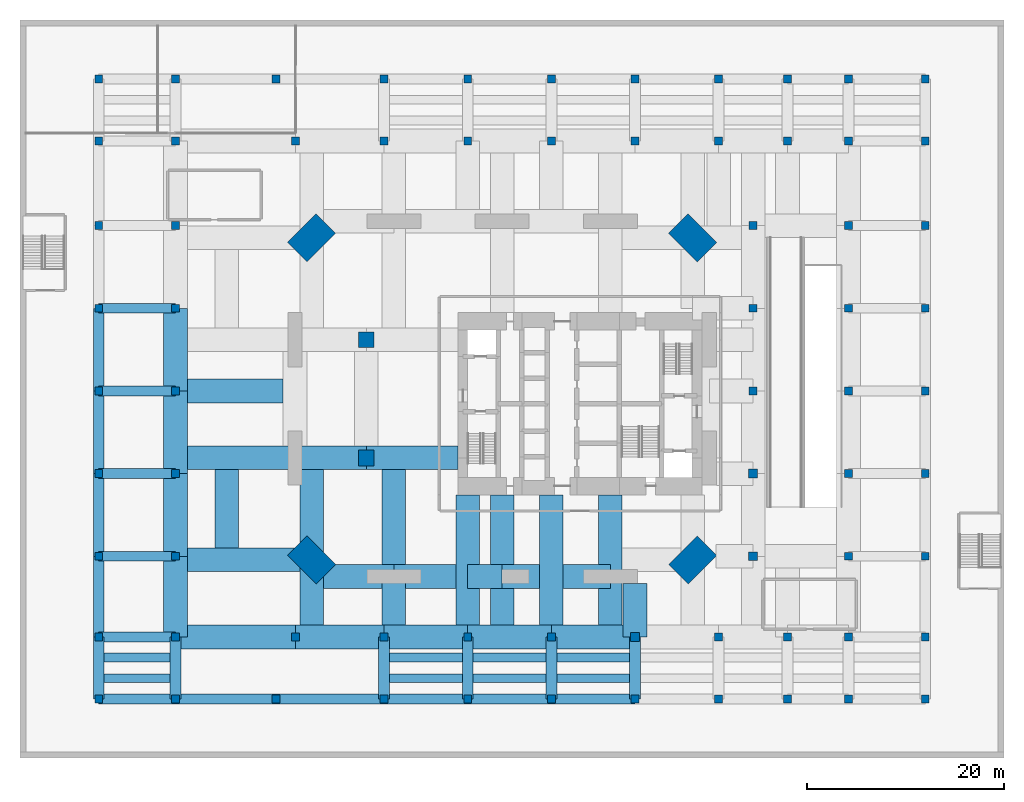
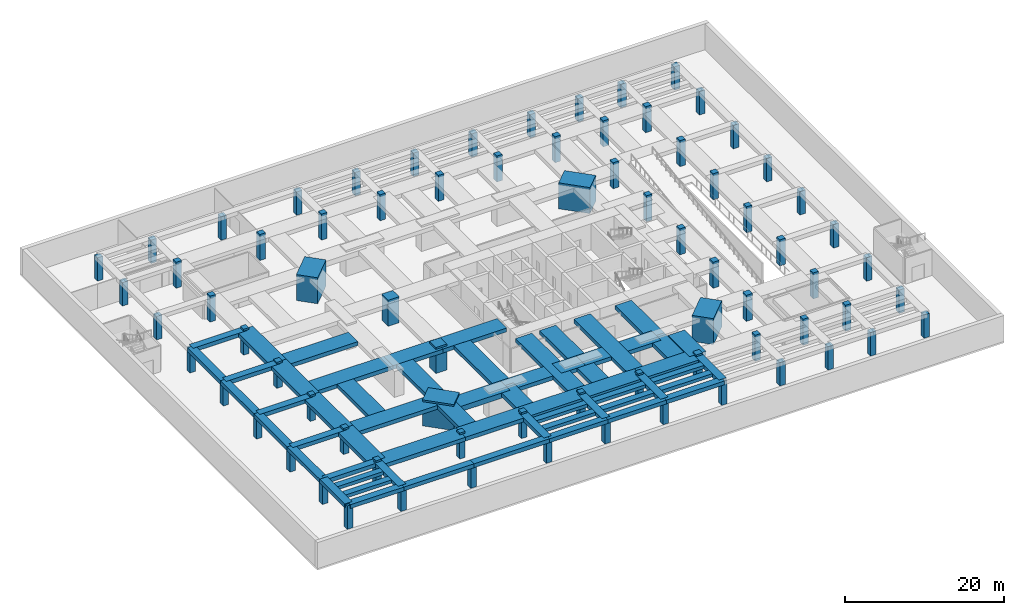
# One storey, part 1 of 10: 75 columns, 60 beams.
"""IFC4 building model written with IfcOpenShell, lengths in metres."""

from ifc_helpers import new_model, si_unit, direction, frame, origin, origin_2d, place, context, subcontext, project, spatial, rectangle, extrude, material, material_profile, profile_set, type_object, element, save


model = new_model("IFC4")

# Units and contexts
model_context = context("Model", 3, precision=1e-05, world=origin(), true_north=direction((0.0, 1.0)))
body_context = subcontext(model_context, "Body", "Model", "MODEL_VIEW")
ifc_project = project(units=[si_unit("LENGTHUNIT", "METRE"), si_unit("AREAUNIT", "SQUARE_METRE"), si_unit("VOLUMEUNIT", "CUBIC_METRE"), si_unit("PLANEANGLEUNIT", "RADIAN"), si_unit("MASSUNIT", "GRAM", prefix="KILO")], contexts=[model_context])

# Site, building, storey
site_placement = place(None, origin())
site = spatial("IfcSite", under=ifc_project, at=site_placement, CompositionType="ELEMENT")
building_placement = place(site_placement, origin())
building = spatial("IfcBuilding", under=site, at=building_placement, Name="Jalousie Tower", CompositionType="ELEMENT")
storey_placement = place(building_placement, frame((0.0, 0.0, -4.0)))
storey = spatial("IfcBuildingStorey", under=building, at=storey_placement, Name="B1", CompositionType="ELEMENT", Elevation=-4.0)

# Columns
ifc_material_1 = material(Name="Concrete f'c 120 MPa", Category="concrete")
ifc_material_profile_1 = material_profile(ifc_material_1, rectangle(XDim=1.60009765625, YDim=1.60009765625, at=origin_2d()), Name="RC 1600x1600")
ifc_profile_set_1 = profile_set([ifc_material_profile_1], Name="Concrete f'c 120 MPa")
column_type_1 = type_object("IfcColumnType", Name="RC COLUMN 1600x1600", PredefinedType="COLUMN", material=ifc_profile_set_1)
for number, where, z_axis, x_axis, name in (
    (1, (10.199951171875, 13.0, 0.0), (0.0, 0.0, 1.0), (1.0, 0.0, 0.0), "Interior column IA1 B1"),
    (2, (10.199951171875, 25.0, 0.0), (0.0, 0.0, 1.0), (1.0, 0.0, 0.0), "Interior column IA2 B1"),
):
    element("IfcColumn", number, at=place(storey_placement, frame(where, z_axis=z_axis, x_axis=x_axis)), inside=storey, type_object=column_type_1, Name=name, PredefinedType="COLUMN", context=body_context, shape_type="SweptSolid", body=[
        extrude(rectangle(XDim=1.60009765625, YDim=1.60009765625, at=origin_2d()), origin(), (0.0, 0.0, 1.0), 4.0),
    ])
ifc_material_2 = material(Name="Concrete f'c 120 MPa", Category="concrete")
ifc_material_profile_2 = material_profile(ifc_material_2, rectangle(XDim=0.800048828125, YDim=0.800048828125, at=origin_2d()), Name="RC 800x800")
ifc_profile_set_2 = profile_set([ifc_material_profile_2], Name="Concrete f'c 120 MPa")
column_type_2 = type_object("IfcColumnType", Name="RC COLUMN 800x800", PredefinedType="COLUMN", material=ifc_profile_set_2)
for number, where, z_axis, x_axis, name in (
    (3, (-9.199951171875, -5.199951171875, 0.0), (0.0, 0.0, 1.0), (1.0, 0.0, 0.0), "Podium column P01 B1"),
    (4, (3.0, -5.199951171875, 0.0), (0.0, 0.0, 1.0), (1.0, 0.0, 0.0), "Podium column P02 B1"),
    (5, (12.0, -5.199951171875, 0.0), (0.0, 0.0, 1.0), (1.0, 0.0, 0.0), "Podium column P03 B1"),
    (6, (20.5, -5.199951171875, 0.0), (0.0, 0.0, 1.0), (1.0, 0.0, 0.0), "Podium column P04 B1"),
    (7, (29.0, -5.199951171875, 0.0), (0.0, 0.0, 1.0), (1.0, 0.0, 0.0), "Podium column P05 B1"),
    (8, (46.0, -5.199951171875, 0.0), (0.0, 0.0, 1.0), (1.0, 0.0, 0.0), "Podium column P07 B1"),
    (9, (53.0, -5.199951171875, 0.0), (0.0, 0.0, 1.0), (1.0, 0.0, 0.0), "Podium column P08 B1"),
    (10, (59.199951171875, -5.199951171875, 0.0), (0.0, 0.0, 1.0), (1.0, 0.0, 0.0), "Podium column P09 B1"),
    (11, (-9.199951171875, 3.0, 0.0), (0.0, 0.0, 1.0), (1.0, 0.0, 0.0), "Podium column P10 B1"),
    (12, (59.199951171875, 3.0, 0.0), (0.0, 0.0, 1.0), (1.0, 0.0, 0.0), "Podium column P12 B1"),
    (13, (-9.199951171875, 11.39990234375, 0.0), (0.0, 0.0, 1.0), (1.0, 0.0, 0.0), "Podium column P13 B1"),
    (14, (59.199951171875, 11.39990234375, 0.0), (0.0, 0.0, 1.0), (1.0, 0.0, 0.0), "Podium column P15 B1"),
    (15, (-9.199951171875, 19.800048828125, 0.0), (0.0, 0.0, 1.0), (1.0, 0.0, 0.0), "Podium column P16 B1"),
    (16, (49.5, 19.800048828125, 0.0), (0.0, 0.0, 1.0), (1.0, 0.0, 0.0), "Podium column P17 B1"),
    (17, (59.199951171875, 19.800048828125, 0.0), (0.0, 0.0, 1.0), (1.0, 0.0, 0.0), "Podium column P18 B1"),
    (18, (-9.199951171875, 28.199951171875, 0.0), (0.0, 0.0, 1.0), (1.0, 0.0, 0.0), "Podium column P19 B1"),
    (19, (49.5, 28.199951171875, 0.0), (0.0, 0.0, 1.0), (1.0, 0.0, 0.0), "Podium column P20 B1"),
    (20, (59.199951171875, 28.199951171875, 0.0), (0.0, 0.0, 1.0), (1.0, 0.0, 0.0), "Podium column P21 B1"),
    (21, (-9.199951171875, 36.60009765625, 0.0), (0.0, 0.0, 1.0), (1.0, 0.0, 0.0), "Podium column P22 B1"),
    (22, (49.5, 36.60009765625, 0.0), (0.0, 0.0, 1.0), (1.0, 0.0, 0.0), "Podium column P23 B1"),
    (23, (59.199951171875, 36.60009765625, 0.0), (0.0, 0.0, 1.0), (1.0, 0.0, 0.0), "Podium column P24 B1"),
    (24, (-9.199951171875, 45.199951171875, 0.0), (0.0, 0.0, 1.0), (1.0, 0.0, 0.0), "Podium column P25 B1"),
    (25, (3.0, 45.199951171875, 0.0), (0.0, 0.0, 1.0), (1.0, 0.0, 0.0), "Podium column P26 B1"),
    (26, (12.0, 45.199951171875, 0.0), (0.0, 0.0, 1.0), (1.0, 0.0, 0.0), "Podium column P27 B1"),
    (27, (20.5, 45.199951171875, 0.0), (0.0, 0.0, 1.0), (1.0, 0.0, 0.0), "Podium column P28 B1"),
    (28, (29.0, 45.199951171875, 0.0), (0.0, 0.0, 1.0), (1.0, 0.0, 0.0), "Podium column P29 B1"),
    (29, (37.5, 45.199951171875, 0.0), (0.0, 0.0, 1.0), (1.0, 0.0, 0.0), "Podium column P30 B1"),
    (30, (46.0, 45.199951171875, 0.0), (0.0, 0.0, 1.0), (1.0, 0.0, 0.0), "Podium column P31 B1"),
    (31, (53.0, 45.199951171875, 0.0), (0.0, 0.0, 1.0), (1.0, 0.0, 0.0), "Podium column P32 B1"),
    (32, (59.199951171875, 45.199951171875, 0.0), (0.0, 0.0, 1.0), (1.0, 0.0, 0.0), "Podium column P33 B1"),
):
    element("IfcColumn", number, at=place(storey_placement, frame(where, z_axis=z_axis, x_axis=x_axis)), inside=storey, type_object=column_type_2, Name=name, PredefinedType="COLUMN", context=body_context, shape_type="SweptSolid", body=[
        extrude(rectangle(XDim=0.800048828125, YDim=0.800048828125, at=origin_2d()), origin(), (0.0, 0.0, 1.0), 4.0),
    ])
for number, where, z_axis, x_axis, name in (
    (33, (-17.0, -11.5, 0.0), (0.0, 0.0, 1.0), (1.0, 0.0, 0.0), "Basement column 01 B1"),
    (34, (-17.0, -5.199951171875, 0.0), (0.0, 0.0, 1.0), (1.0, 0.0, 0.0), "Basement column 02 B1"),
    (35, (-17.0, 3.0, 0.0), (0.0, 0.0, 1.0), (1.0, 0.0, 0.0), "Basement column 03 B1"),
    (36, (-17.0, 11.39990234375, 0.0), (0.0, 0.0, 1.0), (1.0, 0.0, 0.0), "Basement column 04 B1"),
    (37, (-17.0, 19.800048828125, 0.0), (0.0, 0.0, 1.0), (1.0, 0.0, 0.0), "Basement column 05 B1"),
    (38, (-17.0, 28.199951171875, 0.0), (0.0, 0.0, 1.0), (1.0, 0.0, 0.0), "Basement column 06 B1"),
    (39, (-17.0, 36.60009765625, 0.0), (0.0, 0.0, 1.0), (1.0, 0.0, 0.0), "Basement column 07 B1"),
    (40, (-17.0, 45.199951171875, 0.0), (0.0, 0.0, 1.0), (1.0, 0.0, 0.0), "Basement column 08 B1"),
    (41, (-17.0, 51.5, 0.0), (0.0, 0.0, 1.0), (1.0, 0.0, 0.0), "Basement column 09 B1"),
    (42, (-9.199951171875, -11.5, 0.0), (0.0, 0.0, 1.0), (1.0, 0.0, 0.0), "Basement column 10 B1"),
    (43, (-9.199951171875, 51.5, 0.0), (0.0, 0.0, 1.0), (1.0, 0.0, 0.0), "Basement column 11 B1"),
    (44, (1.0, -11.5, 0.0), (0.0, 0.0, 1.0), (1.0, 0.0, 0.0), "Basement column 12 B1"),
    (45, (1.0, 51.5, 0.0), (0.0, 0.0, 1.0), (1.0, 0.0, 0.0), "Basement column 13 B1"),
    (46, (12.0, -11.5, 0.0), (0.0, 0.0, 1.0), (1.0, 0.0, 0.0), "Basement column 14 B1"),
    (47, (12.0, 51.5, 0.0), (0.0, 0.0, 1.0), (1.0, 0.0, 0.0), "Basement column 15 B1"),
    (48, (20.5, -11.5, 0.0), (0.0, 0.0, 1.0), (1.0, 0.0, 0.0), "Basement column 16 B1"),
    (49, (20.5, 51.5, 0.0), (0.0, 0.0, 1.0), (1.0, 0.0, 0.0), "Basement column 17 B1"),
    (50, (29.0, -11.5, 0.0), (0.0, 0.0, 1.0), (1.0, 0.0, 0.0), "Basement column 18 B1"),
    (51, (29.0, 51.5, 0.0), (0.0, 0.0, 1.0), (1.0, 0.0, 0.0), "Basement column 19 B1"),
    (52, (37.5, -11.5, 0.0), (0.0, 0.0, 1.0), (1.0, 0.0, 0.0), "Basement column 20 B1"),
    (53, (37.5, 51.5, 0.0), (0.0, 0.0, 1.0), (1.0, 0.0, 0.0), "Basement column 21 B1"),
    (54, (46.0, -11.5, 0.0), (0.0, 0.0, 1.0), (1.0, 0.0, 0.0), "Basement column 22 B1"),
    (55, (46.0, 51.5, 0.0), (0.0, 0.0, 1.0), (1.0, 0.0, 0.0), "Basement column 23 B1"),
    (56, (53.0, -11.5, 0.0), (0.0, 0.0, 1.0), (1.0, 0.0, 0.0), "Basement column 24 B1"),
    (57, (53.0, 51.5, 0.0), (0.0, 0.0, 1.0), (1.0, 0.0, 0.0), "Basement column 25 B1"),
    (58, (59.199951171875, -11.5, 0.0), (0.0, 0.0, 1.0), (1.0, 0.0, 0.0), "Basement column 26 B1"),
    (59, (59.199951171875, 51.5, 0.0), (0.0, 0.0, 1.0), (1.0, 0.0, 0.0), "Basement column 27 B1"),
    (60, (67.0, -11.5, 0.0), (0.0, 0.0, 1.0), (1.0, 0.0, 0.0), "Basement column 28 B1"),
    (61, (67.0, -5.199951171875, 0.0), (0.0, 0.0, 1.0), (1.0, 0.0, 0.0), "Basement column 29 B1"),
    (62, (67.0, 3.0, 0.0), (0.0, 0.0, 1.0), (1.0, 0.0, 0.0), "Basement column 30 B1"),
    (63, (67.0, 11.39990234375, 0.0), (0.0, 0.0, 1.0), (1.0, 0.0, 0.0), "Basement column 31 B1"),
    (64, (67.0, 19.800048828125, 0.0), (0.0, 0.0, 1.0), (1.0, 0.0, 0.0), "Basement column 32 B1"),
    (65, (67.0, 28.199951171875, 0.0), (0.0, 0.0, 1.0), (1.0, 0.0, 0.0), "Basement column 33 B1"),
    (66, (67.0, 36.60009765625, 0.0), (0.0, 0.0, 1.0), (1.0, 0.0, 0.0), "Basement column 34 B1"),
    (67, (67.0, 45.199951171875, 0.0), (0.0, 0.0, 1.0), (1.0, 0.0, 0.0), "Basement column 35 B1"),
    (68, (67.0, 51.5, 0.0), (0.0, 0.0, 1.0), (1.0, 0.0, 0.0), "Basement column 36 B1"),
):
    element("IfcColumn", number, at=place(storey_placement, frame(where, z_axis=z_axis, x_axis=x_axis)), inside=storey, type_object=column_type_2, Name=name, PredefinedType="COLUMN", context=body_context, shape_type="SweptSolid", body=[
        extrude(rectangle(XDim=0.800048828125, YDim=0.800048828125, at=origin_2d()), origin(), (0.0, 0.0, 1.0), 3.60009765625),
    ])
ifc_material_3 = material(Name="Concrete f'c 120 MPa", Category="concrete")
ifc_material_profile_3 = material_profile(ifc_material_3, rectangle(XDim=0.89990234375, YDim=0.89990234375, at=origin_2d()), Name="RC 900x900")
ifc_profile_set_3 = profile_set([ifc_material_profile_3], Name="Concrete f'c 120 MPa")
column_type_3 = type_object("IfcColumnType", Name="RC COLUMN 900x900", PredefinedType="COLUMN", material=ifc_profile_set_3)
for number, where, z_axis, x_axis, name in (
    (69, (37.5, -5.199951171875, 0.0), (0.0, 0.0, 1.0), (1.0, 0.0, 0.0), "Podium column P06 B1"),
    (70, (49.5, 3.0, 0.0), (0.0, 0.0, 1.0), (1.0, 0.0, 0.0), "Podium column P11 B1"),
    (71, (49.5, 11.39990234375, 0.0), (0.0, 0.0, 1.0), (1.0, 0.0, 0.0), "Podium column P14 B1"),
):
    element("IfcColumn", number, at=place(storey_placement, frame(where, z_axis=z_axis, x_axis=x_axis)), inside=storey, type_object=column_type_3, Name=name, PredefinedType="COLUMN", context=body_context, shape_type="SweptSolid", body=[
        extrude(rectangle(XDim=0.89990234375, YDim=0.89990234375, at=origin_2d()), origin(), (0.0, 0.0, 1.0), 4.0),
    ])
ifc_material_4 = material(Name="Concrete f'c 120 MPa", Category="concrete")
ifc_material_profile_4 = material_profile(ifc_material_4, rectangle(XDim=2.800048828125, YDim=4.10009765625, at=origin_2d()), Name="RC 2800x4100")
ifc_profile_set_4 = profile_set([ifc_material_profile_4], Name="Concrete f'c 120 MPa")
column_type_4 = type_object("IfcColumnType", Name="RC CORNER COLUMN 2800x4100", PredefinedType="COLUMN", material=ifc_profile_set_4)
for number, where, z_axis, x_axis, name in (
    (72, (4.63134765625, 2.63134765625, 0.0), (0.0, 0.0, 1.0), (0.707106781187, 0.707106781187, 0.0), "Corner column 01 B1"),
    (73, (43.36865234375, 2.63134765625, 0.0), (0.0, 0.0, 1.0), (-0.707106781187, 0.707106781187, 0.0), "Corner column 05 B1"),
    (74, (43.36865234375, 35.36865234375, 0.0), (0.0, 0.0, 1.0), (-0.707106781187, -0.707106781187, 0.0), "Corner column 08 B1"),
    (75, (4.63134765625, 35.36865234375, 0.0), (0.0, 0.0, 1.0), (0.707106781187, -0.707106781187, 0.0), "Corner column 12 B1"),
):
    element("IfcColumn", number, at=place(storey_placement, frame(where, z_axis=z_axis, x_axis=x_axis)), inside=storey, type_object=column_type_4, Name=name, PredefinedType="COLUMN", context=body_context, shape_type="SweptSolid", body=[
        extrude(rectangle(XDim=2.800048828125, YDim=4.10009765625, at=origin_2d()), origin(), (0.0, 0.0, 1.0), 4.0),
    ])

# Beams
ifc_material_5 = material(Name="Concrete f'c 40 MPa", Category="concrete")
ifc_material_profile_5 = material_profile(ifc_material_5, rectangle(XDim=1.0, YDim=0.60009765625, at=origin_2d()), Name="RC 1000x600")
ifc_profile_set_5 = profile_set([ifc_material_profile_5], Name="Concrete f'c 40 MPa")
beam_type_1 = type_object("IfcBeamType", Name="RC BEAM 1000x600", PredefinedType="BEAM", material=ifc_profile_set_5)
for number, where, z_axis, x_axis, name in (
    (76, (-17.0, -11.5, 3.419921875), (1.0, 0.0, 0.0), (0.0, 1.0, 0.0), "Girder under L00 1-1 east-west"),
    (77, (-17.0, -5.199951171875, 3.419921875), (1.0, 0.0, 0.0), (0.0, 1.0, 0.0), "Girder under L00 1-2 east-west"),
    (78, (-17.0, 3.0, 3.419921875), (1.0, 0.0, 0.0), (0.0, 1.0, 0.0), "Girder under L00 1-3 east-west"),
    (79, (-17.0, 11.39990234375, 3.419921875), (1.0, 0.0, 0.0), (0.0, 1.0, 0.0), "Girder under L00 1-4 east-west"),
    (80, (-17.0, 19.800048828125, 3.419921875), (1.0, 0.0, 0.0), (0.0, 1.0, 0.0), "Girder under L00 1-5 east-west"),
    (81, (-17.0, 28.199951171875, 3.419921875), (1.0, 0.0, 0.0), (0.0, 1.0, 0.0), "Girder under L00 1-6 east-west"),
):
    element("IfcBeam", number, at=place(storey_placement, frame(where, z_axis=z_axis, x_axis=x_axis)), inside=storey, type_object=beam_type_1, Name=name, PredefinedType="BEAM", context=body_context, shape_type="SweptSolid", body=[
        extrude(rectangle(XDim=1.0, YDim=0.60009765625, at=origin_2d()), origin(), (0.0, 0.0, 1.0), 7.800048828125),
    ])
beam_1_placement = place(storey_placement, frame((-9.199951171875, -11.5, 3.419921875), z_axis=(1.0, 0.0, 0.0), x_axis=(0.0, 1.0, 0.0)))
element("IfcBeam", 82, at=beam_1_placement, inside=storey, type_object=beam_type_1, Name="Girder under L00 2-1 east-west", PredefinedType="BEAM", context=body_context, shape_type="SweptSolid", body=[
    extrude(rectangle(XDim=1.0, YDim=0.60009765625, at=origin_2d()), origin(), (0.0, 0.0, 1.0), 10.199951171875),
])
beam_2_placement = place(storey_placement, frame((1.0, -11.5, 3.419921875), z_axis=(1.0, 0.0, 0.0), x_axis=(0.0, 1.0, 0.0)))
element("IfcBeam", 83, at=beam_2_placement, inside=storey, type_object=beam_type_1, Name="Girder under L00 3-1 east-west", PredefinedType="BEAM", context=body_context, shape_type="SweptSolid", body=[
    extrude(rectangle(XDim=1.0, YDim=0.60009765625, at=origin_2d()), origin(), (0.0, 0.0, 1.0), 11.0),
])
for number, where, z_axis, x_axis, name in (
    (84, (12.0, -11.5, 3.419921875), (1.0, 0.0, 0.0), (0.0, 1.0, 0.0), "Girder under L00 4-1 east-west"),
    (85, (20.5, -11.5, 3.419921875), (1.0, 0.0, 0.0), (0.0, 1.0, 0.0), "Girder under L00 5-1 east-west"),
    (86, (29.0, -11.5, 3.419921875), (1.0, 0.0, 0.0), (0.0, 1.0, 0.0), "Girder under L00 6-1 east-west"),
):
    element("IfcBeam", number, at=place(storey_placement, frame(where, z_axis=z_axis, x_axis=x_axis)), inside=storey, type_object=beam_type_1, Name=name, PredefinedType="BEAM", context=body_context, shape_type="SweptSolid", body=[
        extrude(rectangle(XDim=1.0, YDim=0.60009765625, at=origin_2d()), origin(), (0.0, 0.0, 1.0), 8.5),
    ])
ifc_material_6 = material(Name="Concrete f'c 40 MPa", Category="concrete")
ifc_material_profile_6 = material_profile(ifc_material_6, rectangle(XDim=1.10009765625, YDim=0.60009765625, at=origin_2d()), Name="RC 1100x600")
ifc_profile_set_6 = profile_set([ifc_material_profile_6], Name="Concrete f'c 40 MPa")
beam_type_2 = type_object("IfcBeamType", Name="RC BEAM 1100x600", PredefinedType="BEAM", material=ifc_profile_set_6)
beam_3_placement = place(storey_placement, frame((-17.0, -11.5, 3.419921875), z_axis=(0.0, 1.0, 0.0), x_axis=(-1.0, 0.0, 0.0)))
element("IfcBeam", 87, at=beam_3_placement, inside=storey, type_object=beam_type_2, Name="Girder under L00 1-1 north-south", PredefinedType="BEAM", context=body_context, shape_type="SweptSolid", body=[
    extrude(rectangle(XDim=1.10009765625, YDim=0.60009765625, at=origin_2d()), origin(), (0.0, 0.0, 1.0), 6.300048828125),
])
beam_4_placement = place(storey_placement, frame((-17.0, -5.199951171875, 3.419921875), z_axis=(0.0, 1.0, 0.0), x_axis=(-1.0, 0.0, 0.0)))
element("IfcBeam", 88, at=beam_4_placement, inside=storey, type_object=beam_type_2, Name="Girder under L00 1-2 north-south", PredefinedType="BEAM", context=body_context, shape_type="SweptSolid", body=[
    extrude(rectangle(XDim=1.10009765625, YDim=0.60009765625, at=origin_2d()), origin(), (0.0, 0.0, 1.0), 8.199951171875),
])
beam_5_placement = place(storey_placement, frame((-17.0, 3.0, 3.419921875), z_axis=(0.0, 1.0, 0.0), x_axis=(-1.0, 0.0, 0.0)))
element("IfcBeam", 89, at=beam_5_placement, inside=storey, type_object=beam_type_2, Name="Girder under L00 1-3 north-south", PredefinedType="BEAM", context=body_context, shape_type="SweptSolid", body=[
    extrude(rectangle(XDim=1.10009765625, YDim=0.60009765625, at=origin_2d()), origin(), (0.0, 0.0, 1.0), 8.39990234375),
])
beam_6_placement = place(storey_placement, frame((-17.0, 11.39990234375, 3.419921875), z_axis=(0.0, 1.0, 0.0), x_axis=(-1.0, 0.0, 0.0)))
element("IfcBeam", 90, at=beam_6_placement, inside=storey, type_object=beam_type_2, Name="Girder under L00 1-4 north-south", PredefinedType="BEAM", context=body_context, shape_type="SweptSolid", body=[
    extrude(rectangle(XDim=1.10009765625, YDim=0.60009765625, at=origin_2d()), origin(), (0.0, 0.0, 1.0), 8.400146484375),
])
beam_7_placement = place(storey_placement, frame((-17.0, 19.800048828125, 3.419921875), z_axis=(0.0, 1.0, 0.0), x_axis=(-1.0, 0.0, 0.0)))
element("IfcBeam", 91, at=beam_7_placement, inside=storey, type_object=beam_type_2, Name="Girder under L00 1-5 north-south", PredefinedType="BEAM", context=body_context, shape_type="SweptSolid", body=[
    extrude(rectangle(XDim=1.10009765625, YDim=0.60009765625, at=origin_2d()), origin(), (0.0, 0.0, 1.0), 8.39990234375),
])
for number, where, z_axis, x_axis, name in (
    (92, (-9.199951171875, -11.5, 3.419921875), (0.0, 1.0, 0.0), (-1.0, 0.0, 0.0), "Girder under L00 2-1 north-south"),
    (93, (12.0, -11.5, 3.419921875), (0.0, 1.0, 0.0), (-1.0, 0.0, 0.0), "Girder under L00 4-1 north-south"),
    (94, (20.5, -11.5, 3.419921875), (0.0, 1.0, 0.0), (-1.0, 0.0, 0.0), "Girder under L00 5-1 north-south"),
    (95, (29.0, -11.5, 3.419921875), (0.0, 1.0, 0.0), (-1.0, 0.0, 0.0), "Girder under L00 6-1 north-south"),
    (96, (37.5, -11.5, 3.419921875), (0.0, 1.0, 0.0), (-1.0, 0.0, 0.0), "Girder under L00 7-1 north-south"),
):
    element("IfcBeam", number, at=place(storey_placement, frame(where, z_axis=z_axis, x_axis=x_axis)), inside=storey, type_object=beam_type_2, Name=name, PredefinedType="BEAM", context=body_context, shape_type="SweptSolid", body=[
        extrude(rectangle(XDim=1.10009765625, YDim=0.60009765625, at=origin_2d()), origin(), (0.0, 0.0, 1.0), 6.300048828125),
    ])
ifc_material_7 = material(Name="Concrete f'c 40 MPa", Category="concrete")
ifc_material_profile_7 = material_profile(ifc_material_7, rectangle(XDim=2.39990234375, YDim=0.60009765625, at=origin_2d()), Name="RC 2400x600")
ifc_profile_set_7 = profile_set([ifc_material_profile_7], Name="Concrete f'c 40 MPa")
beam_type_3 = type_object("IfcBeamType", Name="RC BEAM 2400x600", PredefinedType="BEAM", material=ifc_profile_set_7)
beam_8_placement = place(storey_placement, frame((13.0, 0.949951171875, 3.419921875), z_axis=(1.0, 0.0, 0.0), x_axis=(0.0, 1.0, 0.0)))
element("IfcBeam", 97, at=beam_8_placement, inside=storey, type_object=beam_type_3, Name="Floor band beam under L00", PredefinedType="BEAM", context=body_context, shape_type="SweptSolid", body=[
    extrude(rectangle(XDim=2.39990234375, YDim=0.60009765625, at=origin_2d()), origin(), (0.0, 0.0, 1.0), 6.300048828125),
])
beam_9_placement = place(storey_placement, frame((20.5, 0.949951171875, 3.419921875), z_axis=(1.0, 0.0, 0.0), x_axis=(0.0, 1.0, 0.0)))
element("IfcBeam", 98, at=beam_9_placement, inside=storey, type_object=beam_type_3, Name="Floor band beam under L00", PredefinedType="BEAM", context=body_context, shape_type="SweptSolid", body=[
    extrude(rectangle(XDim=2.39990234375, YDim=0.60009765625, at=origin_2d()), origin(), (0.0, 0.0, 1.0), 3.5),
])
beam_10_placement = place(storey_placement, frame((24.0, 0.949951171875, 3.419921875), z_axis=(1.0, 0.0, 0.0), x_axis=(0.0, 1.0, 0.0)))
element("IfcBeam", 99, at=beam_10_placement, inside=storey, type_object=beam_type_3, Name="Floor band beam under L00", PredefinedType="BEAM", context=body_context, shape_type="SweptSolid", body=[
    extrude(rectangle(XDim=2.39990234375, YDim=0.60009765625, at=origin_2d()), origin(), (0.0, 0.0, 1.0), 3.800048828125),
])
beam_11_placement = place(storey_placement, frame((30.199951171875, 0.949951171875, 3.419921875), z_axis=(1.0, 0.0, 0.0), x_axis=(0.0, 1.0, 0.0)))
element("IfcBeam", 100, at=beam_11_placement, inside=storey, type_object=beam_type_3, Name="Floor band beam under L00", PredefinedType="BEAM", context=body_context, shape_type="SweptSolid", body=[
    extrude(rectangle(XDim=2.39990234375, YDim=0.60009765625, at=origin_2d()), origin(), (0.0, 0.0, 1.0), 4.800048828125),
])
beam_12_placement = place(storey_placement, frame((-9.199951171875, -5.199951171875, 3.419921875), z_axis=(1.0, 0.0, 0.0), x_axis=(0.0, 1.0, 0.0)))
element("IfcBeam", 101, at=beam_12_placement, inside=storey, type_object=beam_type_3, Name="Floor band beam under L00", PredefinedType="BEAM", context=body_context, shape_type="SweptSolid", body=[
    extrude(rectangle(XDim=2.39990234375, YDim=0.60009765625, at=origin_2d()), origin(), (0.0, 0.0, 1.0), 12.199951171875),
])
beam_13_placement = place(storey_placement, frame((-9.199951171875, -5.199951171875, 3.419921875), z_axis=(0.0, 1.0, 0.0), x_axis=(-1.0, 0.0, 0.0)))
element("IfcBeam", 102, at=beam_13_placement, inside=storey, type_object=beam_type_3, Name="Floor band beam under L00", PredefinedType="BEAM", context=body_context, shape_type="SweptSolid", body=[
    extrude(rectangle(XDim=2.39990234375, YDim=0.60009765625, at=origin_2d()), origin(), (0.0, 0.0, 1.0), 8.199951171875),
])
beam_14_placement = place(storey_placement, frame((-9.199951171875, 3.0, 3.419921875), z_axis=(0.0, 1.0, 0.0), x_axis=(-1.0, 0.0, 0.0)))
element("IfcBeam", 103, at=beam_14_placement, inside=storey, type_object=beam_type_3, Name="Floor band beam under L00", PredefinedType="BEAM", context=body_context, shape_type="SweptSolid", body=[
    extrude(rectangle(XDim=2.39990234375, YDim=0.60009765625, at=origin_2d()), origin(), (0.0, 0.0, 1.0), 8.39990234375),
])
beam_15_placement = place(storey_placement, frame((-9.199951171875, 11.39990234375, 3.419921875), z_axis=(0.0, 1.0, 0.0), x_axis=(-1.0, 0.0, 0.0)))
element("IfcBeam", 104, at=beam_15_placement, inside=storey, type_object=beam_type_3, Name="Floor band beam under L00", PredefinedType="BEAM", context=body_context, shape_type="SweptSolid", body=[
    extrude(rectangle(XDim=2.39990234375, YDim=0.60009765625, at=origin_2d()), origin(), (0.0, 0.0, 1.0), 8.400146484375),
])
beam_16_placement = place(storey_placement, frame((-9.199951171875, 19.800048828125, 3.419921875), z_axis=(0.0, 1.0, 0.0), x_axis=(-1.0, 0.0, 0.0)))
element("IfcBeam", 105, at=beam_16_placement, inside=storey, type_object=beam_type_3, Name="Floor band beam under L00", PredefinedType="BEAM", context=body_context, shape_type="SweptSolid", body=[
    extrude(rectangle(XDim=2.39990234375, YDim=0.60009765625, at=origin_2d()), origin(), (0.0, 0.0, 1.0), 8.39990234375),
])
beam_17_placement = place(storey_placement, frame((2.949951171875, 13.0, 3.419921875), z_axis=(1.0, 0.0, 0.0), x_axis=(0.0, 1.0, 0.0)))
element("IfcBeam", 106, at=beam_17_placement, inside=storey, type_object=beam_type_3, Name="Floor band beam under L00", PredefinedType="BEAM", context=body_context, shape_type="SweptSolid", body=[
    extrude(rectangle(XDim=2.39990234375, YDim=0.60009765625, at=origin_2d()), origin(), (0.0, 0.0, 1.0), 7.25),
])
beam_18_placement = place(storey_placement, frame((3.0, -5.199951171875, 3.419921875), z_axis=(1.0, 0.0, 0.0), x_axis=(0.0, 1.0, 0.0)))
element("IfcBeam", 107, at=beam_18_placement, inside=storey, type_object=beam_type_3, Name="Floor band beam under L00", PredefinedType="BEAM", context=body_context, shape_type="SweptSolid", body=[
    extrude(rectangle(XDim=2.39990234375, YDim=0.60009765625, at=origin_2d()), origin(), (0.0, 0.0, 1.0), 9.0),
])
beam_19_placement = place(storey_placement, frame((10.199951171875, 13.0, 3.419921875), z_axis=(1.0, 0.0, 0.0), x_axis=(0.0, 1.0, 0.0)))
element("IfcBeam", 108, at=beam_19_placement, inside=storey, type_object=beam_type_3, Name="Floor band beam under L00", PredefinedType="BEAM", context=body_context, shape_type="SweptSolid", body=[
    extrude(rectangle(XDim=2.39990234375, YDim=0.60009765625, at=origin_2d()), origin(), (0.0, 0.0, 1.0), 9.300048828125),
])
for number, where, z_axis, x_axis, name in (
    (109, (12.0, -5.199951171875, 3.419921875), (1.0, 0.0, 0.0), (0.0, 1.0, 0.0), "Floor band beam under L00"),
    (110, (20.5, -5.199951171875, 3.419921875), (1.0, 0.0, 0.0), (0.0, 1.0, 0.0), "Floor band beam under L00"),
):
    element("IfcBeam", number, at=place(storey_placement, frame(where, z_axis=z_axis, x_axis=x_axis)), inside=storey, type_object=beam_type_3, Name=name, PredefinedType="BEAM", context=body_context, shape_type="SweptSolid", body=[
        extrude(rectangle(XDim=2.39990234375, YDim=0.60009765625, at=origin_2d()), origin(), (0.0, 0.0, 1.0), 8.5),
    ])
beam_20_placement = place(storey_placement, frame((20.5, -5.199951171875, 3.419921875), z_axis=(0.0, 1.0, 0.0), x_axis=(-1.0, 0.0, 0.0)))
element("IfcBeam", 111, at=beam_20_placement, inside=storey, type_object=beam_type_3, Name="Floor band beam under L00", PredefinedType="BEAM", context=body_context, shape_type="SweptSolid", body=[
    extrude(rectangle(XDim=2.39990234375, YDim=0.60009765625, at=origin_2d()), origin(), (0.0, 0.0, 1.0), 14.449951171875),
])
beam_21_placement = place(storey_placement, frame((24.0, 0.949951171875, 3.419921875), z_axis=(0.0, 1.0, 0.0), x_axis=(-1.0, 0.0, 0.0)))
element("IfcBeam", 112, at=beam_21_placement, inside=storey, type_object=beam_type_3, Name="Floor band beam under L00", PredefinedType="BEAM", context=body_context, shape_type="SweptSolid", body=[
    extrude(rectangle(XDim=2.39990234375, YDim=0.60009765625, at=origin_2d()), origin(), (0.0, 0.0, 1.0), 8.300048828125),
])
beam_22_placement = place(storey_placement, frame((29.0, -5.199951171875, 3.419921875), z_axis=(1.0, 0.0, 0.0), x_axis=(0.0, 1.0, 0.0)))
element("IfcBeam", 113, at=beam_22_placement, inside=storey, type_object=beam_type_3, Name="Floor band beam under L00", PredefinedType="BEAM", context=body_context, shape_type="SweptSolid", body=[
    extrude(rectangle(XDim=2.39990234375, YDim=0.60009765625, at=origin_2d()), origin(), (0.0, 0.0, 1.0), 8.5),
])
beam_23_placement = place(storey_placement, frame((29.0, -5.199951171875, 3.419921875), z_axis=(0.0, 1.0, 0.0), x_axis=(-1.0, 0.0, 0.0)))
element("IfcBeam", 114, at=beam_23_placement, inside=storey, type_object=beam_type_3, Name="Floor band beam under L00", PredefinedType="BEAM", context=body_context, shape_type="SweptSolid", body=[
    extrude(rectangle(XDim=2.39990234375, YDim=0.60009765625, at=origin_2d()), origin(), (0.0, 0.0, 1.0), 14.449951171875),
])
beam_24_placement = place(storey_placement, frame((35.0, 0.949951171875, 3.419921875), z_axis=(0.0, 1.0, 0.0), x_axis=(-1.0, 0.0, 0.0)))
element("IfcBeam", 115, at=beam_24_placement, inside=storey, type_object=beam_type_3, Name="Floor band beam under L00", PredefinedType="BEAM", context=body_context, shape_type="SweptSolid", body=[
    extrude(rectangle(XDim=2.39990234375, YDim=0.60009765625, at=origin_2d()), origin(), (0.0, 0.0, 1.0), 8.300048828125),
])
beam_25_placement = place(storey_placement, frame((37.5, -5.199951171875, 3.419921875), z_axis=(0.0, 1.0, 0.0), x_axis=(-1.0, 0.0, 0.0)))
element("IfcBeam", 116, at=beam_25_placement, inside=storey, type_object=beam_type_3, Name="Floor band beam under L00", PredefinedType="BEAM", context=body_context, shape_type="SweptSolid", body=[
    extrude(rectangle(XDim=2.39990234375, YDim=0.60009765625, at=origin_2d()), origin(), (0.0, 0.0, 1.0), 5.425048828125),
])
for number, where, z_axis, x_axis, name in (
    (117, (-9.199951171875, 19.800048828125, 3.419921875), (1.0, 0.0, 0.0), (0.0, 1.0, 0.0), "Floor band beam under L00"),
    (118, (2.949951171875, 13.0, 3.419921875), (-1.0, 0.0, 0.0), (0.0, -1.0, 0.0), "Floor band beam under L00"),
):
    element("IfcBeam", number, at=place(storey_placement, frame(where, z_axis=z_axis, x_axis=x_axis)), inside=storey, type_object=beam_type_3, Name=name, PredefinedType="BEAM", context=body_context, shape_type="SweptSolid", body=[
        extrude(rectangle(XDim=2.39990234375, YDim=0.60009765625, at=origin_2d()), origin(), (0.0, 0.0, 1.0), 10.949951171875),
    ])
beam_26_placement = place(storey_placement, frame((4.63134765625, 2.63134765625, 3.419921875), z_axis=(-1.0, 0.0, 0.0), x_axis=(0.0, -1.0, 0.0)))
element("IfcBeam", 119, at=beam_26_placement, inside=storey, type_object=beam_type_3, Name="Floor band beam under L00", PredefinedType="BEAM", context=body_context, shape_type="SweptSolid", body=[
    extrude(rectangle(XDim=2.39990234375, YDim=0.60009765625, at=origin_2d()), origin(), (0.0, 0.0, 1.0), 12.63134765625),
])
beam_27_placement = place(storey_placement, frame((4.63134765625, 2.63134765625, 3.419921875), z_axis=(0.0, 1.0, 0.0), x_axis=(-1.0, 0.0, 0.0)))
element("IfcBeam", 120, at=beam_27_placement, inside=storey, type_object=beam_type_3, Name="Floor band beam under L00", PredefinedType="BEAM", context=body_context, shape_type="SweptSolid", body=[
    extrude(rectangle(XDim=2.39990234375, YDim=0.60009765625, at=origin_2d()), origin(), (0.0, 0.0, 1.0), 9.168701171875),
])
beam_28_placement = place(storey_placement, frame((4.63134765625, 2.63134765625, 3.419921875), z_axis=(0.0, -1.0, 0.0), x_axis=(1.0, 0.0, 0.0)))
element("IfcBeam", 121, at=beam_28_placement, inside=storey, type_object=beam_type_3, Name="Floor band beam under L00", PredefinedType="BEAM", context=body_context, shape_type="SweptSolid", body=[
    extrude(rectangle(XDim=2.39990234375, YDim=0.60009765625, at=origin_2d()), origin(), (0.0, 0.0, 1.0), 6.63134765625),
])
beam_29_placement = place(storey_placement, frame((13.0, 0.949951171875, 3.419921875), z_axis=(0.0, 1.0, 0.0), x_axis=(-1.0, 0.0, 0.0)))
element("IfcBeam", 122, at=beam_29_placement, inside=storey, type_object=beam_type_3, Name="Floor band beam under L00", PredefinedType="BEAM", context=body_context, shape_type="SweptSolid", body=[
    extrude(rectangle(XDim=2.39990234375, YDim=0.60009765625, at=origin_2d()), origin(), (0.0, 0.0, 1.0), 10.85009765625),
])
for number, where, z_axis, x_axis, name in (
    (123, (13.0, 0.949951171875, 3.419921875), (0.0, -1.0, 0.0), (1.0, 0.0, 0.0), "Floor band beam under L00"),
    (124, (24.0, 0.949951171875, 3.419921875), (0.0, -1.0, 0.0), (1.0, 0.0, 0.0), "Floor band beam under L00"),
    (125, (35.0, 0.949951171875, 3.419921875), (0.0, -1.0, 0.0), (1.0, 0.0, 0.0), "Floor band beam under L00"),
):
    element("IfcBeam", number, at=place(storey_placement, frame(where, z_axis=z_axis, x_axis=x_axis)), inside=storey, type_object=beam_type_3, Name=name, PredefinedType="BEAM", context=body_context, shape_type="SweptSolid", body=[
        extrude(rectangle(XDim=2.39990234375, YDim=0.60009765625, at=origin_2d()), origin(), (0.0, 0.0, 1.0), 4.949951171875),
    ])
beam_30_placement = place(storey_placement, frame((-4.0, 3.831298828125, 3.419921875), z_axis=(0.0, 1.0, 0.0), x_axis=(-1.0, 0.0, 0.0)))
element("IfcBeam", 126, at=beam_30_placement, inside=storey, type_object=beam_type_3, Name="Floor band beam under L00", PredefinedType="BEAM", context=body_context, shape_type="SweptSolid", body=[
    extrude(rectangle(XDim=2.39990234375, YDim=0.60009765625, at=origin_2d()), origin(), (0.0, 0.0, 1.0), 7.96875),
])
ifc_material_8 = material(Name="Concrete f'c 40 MPa", Category="concrete")
ifc_material_profile_8 = material_profile(ifc_material_8, rectangle(XDim=2.39990234375, YDim=0.800048828125, at=origin_2d()), Name="RC 2400x800")
ifc_profile_set_8 = profile_set([ifc_material_profile_8], Name="Concrete f'c 40 MPa")
beam_type_4 = type_object("IfcBeamType", Name="RC BEAM 2400x800", PredefinedType="BEAM", material=ifc_profile_set_8)
beam_31_placement = place(storey_placement, frame((13.0, 0.949951171875, 3.320068359375), z_axis=(-1.0, 0.0, 0.0), x_axis=(0.0, -1.0, 0.0)))
element("IfcBeam", 127, at=beam_31_placement, inside=storey, type_object=beam_type_4, Name="Floor band beam under L00", PredefinedType="BEAM", context=body_context, shape_type="SweptSolid", body=[
    extrude(rectangle(XDim=2.39990234375, YDim=0.800048828125, at=origin_2d()), origin(), (0.0, 0.0, 1.0), 7.15087890625),
])
ifc_material_9 = material(Name="Concrete f'c 40 MPa", Category="concrete")
ifc_material_profile_9 = material_profile(ifc_material_9, rectangle(XDim=0.89990234375, YDim=0.5, at=origin_2d()), Name="RC 900x500")
ifc_profile_set_9 = profile_set([ifc_material_profile_9], Name="Concrete f'c 40 MPa")
beam_type_5 = type_object("IfcBeamType", Name="RC BEAM 900x500", PredefinedType="BEAM", material=ifc_profile_set_9)
for number, where, z_axis, x_axis, name in (
    (128, (-16.449951171875, -9.39990234375, 3.469970703125), (1.0, 0.0, 0.0), (0.0, 1.0, 0.0), "Secondary beam 1 under L00 bay 1-1"),
    (129, (-16.449951171875, -7.300048828125, 3.469970703125), (1.0, 0.0, 0.0), (0.0, 1.0, 0.0), "Secondary beam 2 under L00 bay 1-1"),
):
    element("IfcBeam", number, at=place(storey_placement, frame(where, z_axis=z_axis, x_axis=x_axis)), inside=storey, type_object=beam_type_5, Name=name, PredefinedType="BEAM", context=body_context, shape_type="SweptSolid", body=[
        extrude(rectangle(XDim=0.89990234375, YDim=0.5, at=origin_2d()), origin(), (0.0, 0.0, 1.0), 6.699951171875),
    ])
for number, where, z_axis, x_axis, name in (
    (130, (12.550048828125, -9.39990234375, 3.469970703125), (1.0, 0.0, 0.0), (0.0, 1.0, 0.0), "Secondary beam 1 under L00 bay 4-1"),
    (131, (12.550048828125, -7.300048828125, 3.469970703125), (1.0, 0.0, 0.0), (0.0, 1.0, 0.0), "Secondary beam 2 under L00 bay 4-1"),
    (132, (21.050048828125, -9.39990234375, 3.469970703125), (1.0, 0.0, 0.0), (0.0, 1.0, 0.0), "Secondary beam 1 under L00 bay 5-1"),
    (133, (21.050048828125, -7.300048828125, 3.469970703125), (1.0, 0.0, 0.0), (0.0, 1.0, 0.0), "Secondary beam 2 under L00 bay 5-1"),
    (134, (29.550048828125, -9.39990234375, 3.469970703125), (1.0, 0.0, 0.0), (0.0, 1.0, 0.0), "Secondary beam 1 under L00 bay 6-1"),
    (135, (29.550048828125, -7.300048828125, 3.469970703125), (1.0, 0.0, 0.0), (0.0, 1.0, 0.0), "Secondary beam 2 under L00 bay 6-1"),
):
    element("IfcBeam", number, at=place(storey_placement, frame(where, z_axis=z_axis, x_axis=x_axis)), inside=storey, type_object=beam_type_5, Name=name, PredefinedType="BEAM", context=body_context, shape_type="SweptSolid", body=[
        extrude(rectangle(XDim=0.89990234375, YDim=0.5, at=origin_2d()), origin(), (0.0, 0.0, 1.0), 7.39990234375),
    ])

save(model, "model.ifc")
